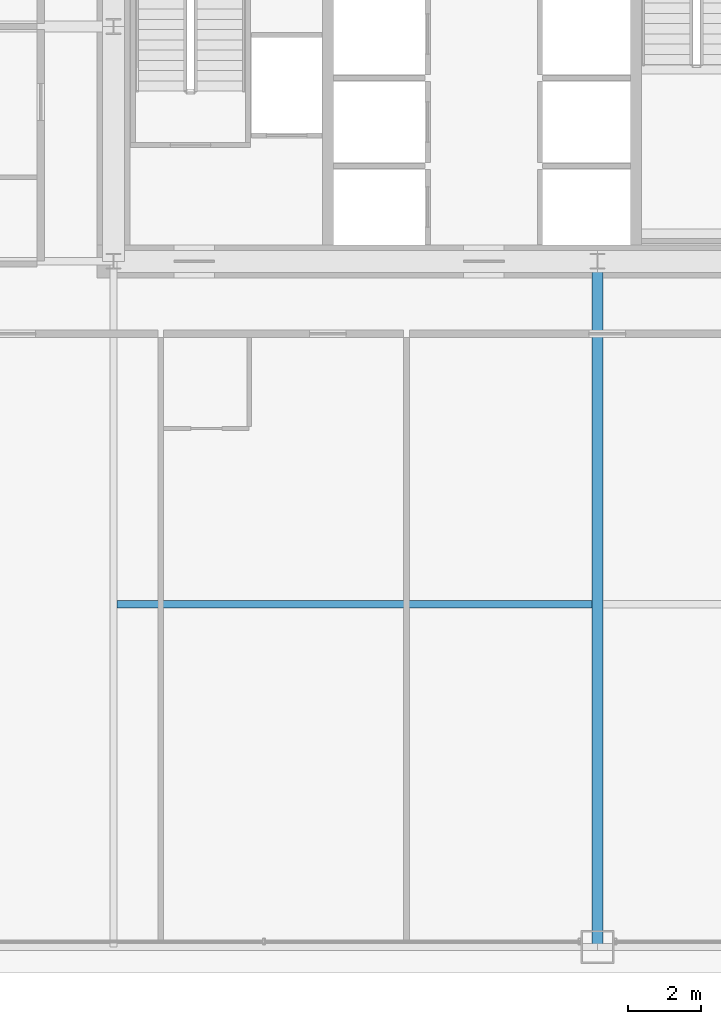
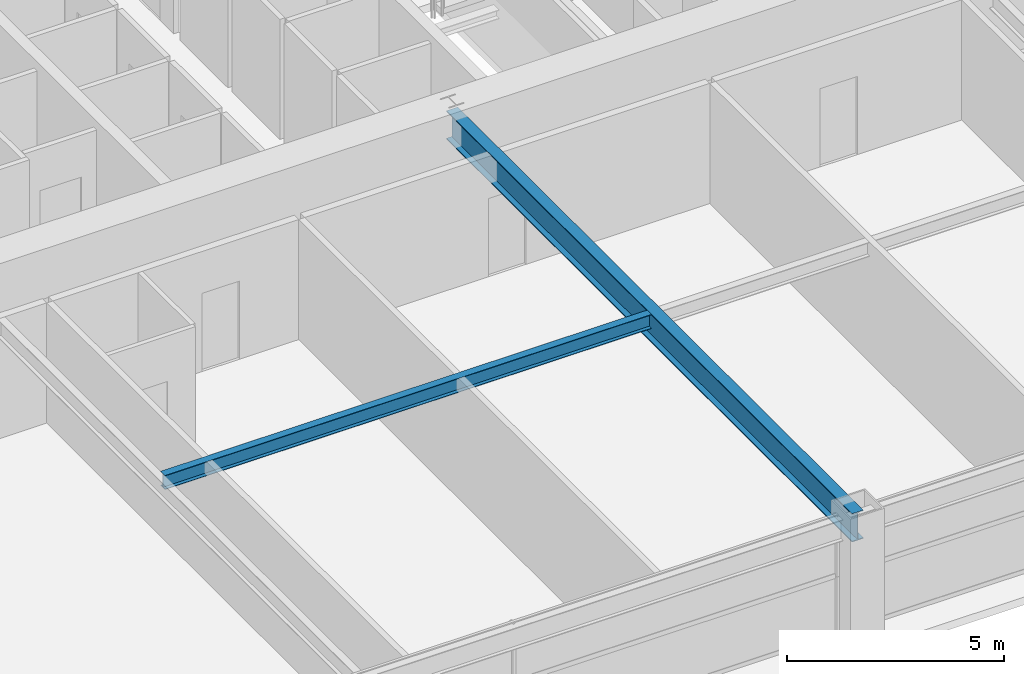
# One storey, part 8 of 43: 2 beams.
"""IFC4 building model written with IfcOpenShell, lengths in metres."""

from ifc_helpers import new_model, si_unit, direction, frame, origin, origin_2d, place, context, subcontext, project, spatial, i_section, extrude, source, transform, mapped, material, material_profile, profile_set, type_object, element, save


model = new_model("IFC4")

# Units and contexts
model_context = context("Model", 3, precision=1e-05, world=origin(), true_north=direction((0.0, 1.0)))
body_context = subcontext(model_context, "Body", "Model", "MODEL_VIEW")
ifc_project = project(units=[si_unit("LENGTHUNIT", "METRE"), si_unit("AREAUNIT", "SQUARE_METRE"), si_unit("VOLUMEUNIT", "CUBIC_METRE"), si_unit("PLANEANGLEUNIT", "RADIAN"), si_unit("MASSUNIT", "GRAM", prefix="KILO"), si_unit("THERMODYNAMICTEMPERATUREUNIT", "KELVIN"), si_unit("POWERUNIT", "WATT")], contexts=[model_context])

# Site, building, storey
site_placement = place(None, origin())
site = spatial("IfcSite", under=ifc_project, at=site_placement, CompositionType="ELEMENT")
building_placement = place(site_placement, origin())
building = spatial("IfcBuilding", under=site, at=building_placement, Name="Yuzanri Waterfront Tower", CompositionType="ELEMENT")
storey_placement = place(building_placement, frame((0.0, 0.0, 46.0)))
storey = spatial("IfcBuildingStorey", under=building, at=storey_placement, Name="L11", CompositionType="ELEMENT", Elevation=46.0)

# Beams
ifc_material_1 = material(Name="Steel Q355B", Category="steel")
ifc_material_profile_1 = material_profile(ifc_material_1, i_section(OverallWidth=0.300048828125, OverallDepth=0.800048828125, WebThickness=0.013916015625, FlangeThickness=0.02587890625, at=origin_2d()), Name="HN 800x300x14x26")
ifc_profile_set_1 = profile_set([ifc_material_profile_1], Name="Steel Q355B")
beam_type_1 = type_object("IfcBeamType", Name="Primary Floor Girder Q355B HN 800x300", PredefinedType="BEAM", material=ifc_profile_set_1)
shared_shape_1 = source(origin(), body_context, "Body", "SweptSolid", [
    extrude(i_section(OverallWidth=0.300048828125, OverallDepth=0.800048828125, WebThickness=0.013916015625, FlangeThickness=0.02587890625, at=origin_2d()), origin(), (0.0, 0.0, 1.0), 18.699951171875),
])
beam_1_placement = place(storey_placement, frame((37.0, 19.39990234375, 2.97998046875), z_axis=(0.0, -1.0, 0.0), x_axis=(1.0, 0.0, 0.0)))
element("IfcBeam", 1, at=beam_1_placement, inside=storey, type_object=beam_type_1, Name="L11 South Grid Girder", PredefinedType="BEAM", context=body_context, shape_type="MappedRepresentation", body=[
    mapped(shared_shape_1, transform((0.0, 0.0, 0.0), scale=1.0)),
])
ifc_material_2 = material(Name="Steel Q355B", Category="steel")
ifc_material_profile_2 = material_profile(ifc_material_2, i_section(OverallWidth=0.199951171875, OverallDepth=0.39990234375, WebThickness=0.008056640625, FlangeThickness=0.012939453125, at=origin_2d()), Name="HN 400x200x8x13")
ifc_profile_set_2 = profile_set([ifc_material_profile_2], Name="Steel Q355B")
beam_type_2 = type_object("IfcBeamType", Name="Floor Joist Q355B HN 400x200", PredefinedType="JOIST", material=ifc_profile_set_2)
shared_shape_2 = source(origin(), body_context, "Body", "SweptSolid", [
    extrude(i_section(OverallWidth=0.199951171875, OverallDepth=0.39990234375, WebThickness=0.008056640625, FlangeThickness=0.012939453125, at=origin_2d()), origin(), (0.0, 0.0, 1.0), 12.9501953125),
])
beam_2_placement = place(storey_placement, frame((23.89990234375, 10.050048828125, 3.179931640625), z_axis=(1.0, 0.0, 0.0), x_axis=(0.0, 1.0, 0.0)))
element("IfcBeam", 2, at=beam_2_placement, inside=storey, type_object=beam_type_2, Name="L11 South Bay Joist W", PredefinedType="JOIST", context=body_context, shape_type="MappedRepresentation", body=[
    mapped(shared_shape_2, transform((0.0, 0.0, 0.0), scale=1.0)),
])

save(model, "model.ifc")
